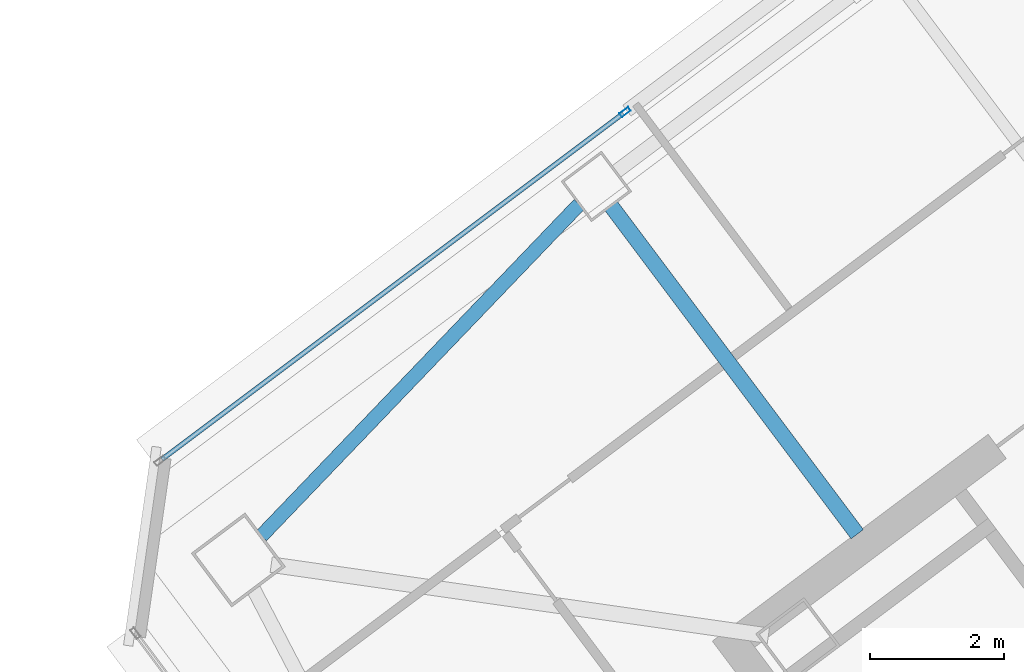
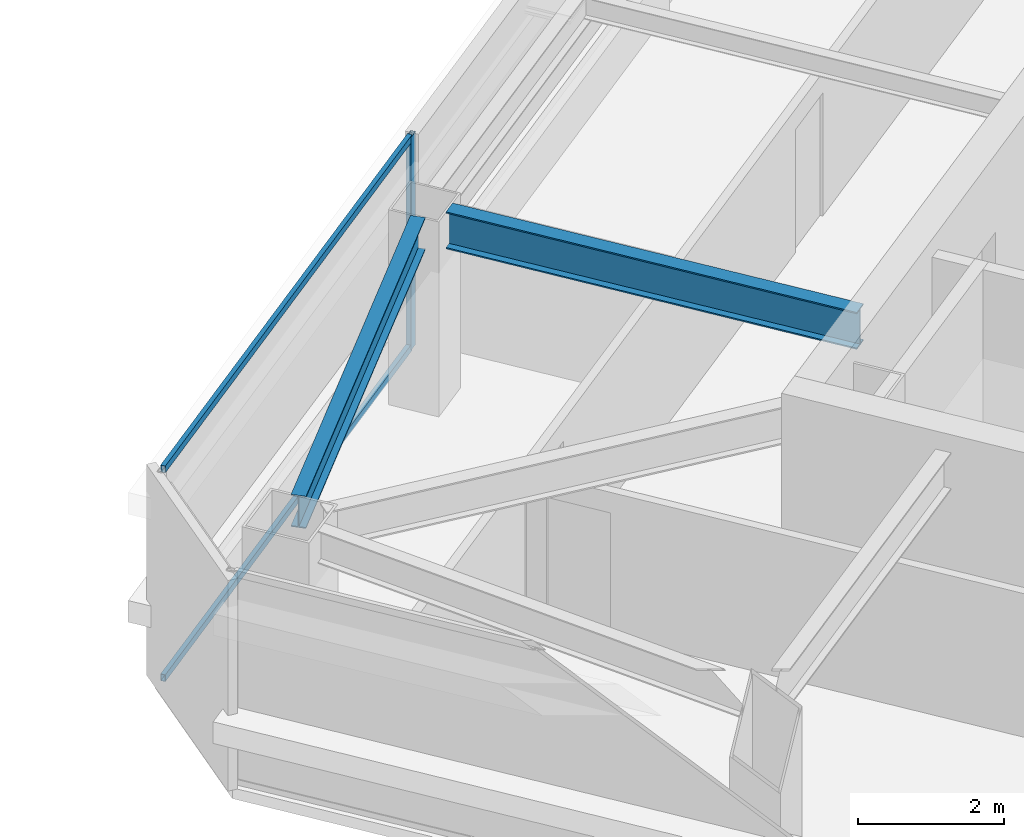
# One storey, part 21 of 39: 3 members, 2 beams, 1 element without a shape of its own.
"""IFC4 building model written with IfcOpenShell, lengths in metres."""

from ifc_helpers import new_model, si_unit, direction, frame, origin, origin_2d, place, context, subcontext, project, spatial, hollow_rectangle, i_section, extrude, material, material_profile, profile_set, type_object, element, aggregate, save


model = new_model("IFC4")

# Units and contexts
model_context = context("Model", 3, precision=1e-05, world=origin(), true_north=direction((0.0, 1.0)))
body_context = subcontext(model_context, "Body", "Model", "MODEL_VIEW")
ifc_project = project(units=[si_unit("LENGTHUNIT", "METRE"), si_unit("AREAUNIT", "SQUARE_METRE"), si_unit("VOLUMEUNIT", "CUBIC_METRE"), si_unit("PLANEANGLEUNIT", "RADIAN"), si_unit("MASSUNIT", "GRAM", prefix="KILO")], contexts=[model_context])

# Site, building, storey
site_placement = place(None, origin())
site = spatial("IfcSite", under=ifc_project, at=site_placement, CompositionType="ELEMENT")
building_placement = place(site_placement, origin())
building = spatial("IfcBuilding", under=site, at=building_placement, Name="Tashvorn Skyway Center", CompositionType="ELEMENT")
storey_placement = place(building_placement, frame((0.0, 0.0, 243.25)))
storey = spatial("IfcBuildingStorey", under=building, at=storey_placement, Name="L66", CompositionType="ELEMENT", Elevation=243.25)

# Beams
ifc_material_1 = material(Name="Steel ASTM A992 Grade 50", Category="steel")
ifc_material_profile_1 = material_profile(ifc_material_1, i_section(OverallWidth=0.22998046875, OverallDepth=0.616943359375, WebThickness=0.01318359375, FlangeThickness=0.022216796875, at=origin_2d()), Name="W24X94")
ifc_profile_set_1 = profile_set([ifc_material_profile_1], Name="Steel ASTM A992 Grade 50")
beam_type_1 = type_object("IfcBeamType", Name="BM-BEAM-W24X94", PredefinedType="BEAM", material=ifc_profile_set_1)
beam_1_placement = place(storey_placement, frame((101.35205078125, 39.864013671875, 2.94140625), z_axis=(0.599980788915, -0.800014407953, 0.0), x_axis=(0.800014407953, 0.599980788915, 0.0)))
element("IfcBeam", 1, at=beam_1_placement, inside=storey, type_object=beam_type_1, Name="Tower 2 L66 Primary Floor Girder FC-N2", PredefinedType="BEAM", context=body_context, shape_type="SweptSolid", body=[
    extrude(i_section(OverallWidth=0.22998046875, OverallDepth=0.616943359375, WebThickness=0.01318359375, FlangeThickness=0.022216796875, at=origin_2d()), origin(), (0.0, 0.0, 1.0), 6.10009765625),
])
ifc_material_profile_2 = material_profile(ifc_material_1, i_section(OverallWidth=0.2109375, OverallDepth=0.5390625, WebThickness=0.01171875, FlangeThickness=0.018798828125, at=origin_2d()), Name="W21X73")
ifc_profile_set_2 = profile_set([ifc_material_profile_2], Name="Steel ASTM A992 Grade 50")
beam_type_2 = type_object("IfcBeamType", Name="BM-SPANDREL-W21X73", PredefinedType="SPANDREL", material=ifc_profile_set_2)
beam_2_placement = place(storey_placement, frame((100.8740234375, 39.892822265625, 2.98046875), z_axis=(-0.69202323926, -0.72187522213, 0.0), x_axis=(0.72187522213, -0.69202323926, 0.0)))
element("IfcBeam", 2, at=beam_2_placement, inside=storey, type_object=beam_type_2, Name="Tower 2 L66 Spandrel Beam 09", PredefinedType="SPANDREL", context=body_context, shape_type="SweptSolid", body=[
    extrude(i_section(OverallWidth=0.2109375, OverallDepth=0.5390625, WebThickness=0.01171875, FlangeThickness=0.018798828125, at=origin_2d()), origin(), (0.0, 0.0, 1.0), 6.837158203125),
])

# Curtain wall, members
ifc_material_2 = material(Name="Thermally broken bronze-anodized aluminium 6063-T6", Category="aluminium")
curtain_wall_type = type_object("IfcCurtainWallType", Name="CW-CW-Z5", PredefinedType="NOTDEFINED", material=ifc_material_2)
curtain_wall_placement = place(storey_placement, origin())
curtain_wall = element("IfcCurtainWall", 3, at=curtain_wall_placement, inside=storey, type_object=curtain_wall_type, Name="Tower 2 L66 North Unitised Curtain Wall Glazing Group 1", PredefinedType="NOTDEFINED")
ifc_material_profile_3 = material_profile(ifc_material_2, hollow_rectangle(XDim=0.070068359375, YDim=0.1650390625, WallThickness=0.00390625, at=origin_2d()), Name="ALU-MULL-70x165")
ifc_profile_set_3 = profile_set([ifc_material_profile_3], Name="Thermally broken bronze-anodized aluminium 6063-T6")
member_type_1 = type_object("IfcMemberType", Name="CWM-CW-Z5", PredefinedType="MULLION", material=ifc_profile_set_3)
member_1_placement = place(storey_placement, frame((101.555908203125, 41.26708984375, 0.0), z_axis=(0.0, 0.0, 1.0), x_axis=(-0.600000000002, 0.799999999998, 0.0)))
member_1 = element("IfcMember", 4, at=member_1_placement, type_object=member_type_1, Name="CW-Z5 mullion 2", PredefinedType="MULLION", context=body_context, shape_type="SweptSolid", body=[
    extrude(hollow_rectangle(XDim=0.070068359375, YDim=0.1650390625, WallThickness=0.00390625, at=origin_2d()), origin(), (0.0, 0.0, 1.0), 3.550048828125),
])
ifc_material_profile_4 = material_profile(ifc_material_2, hollow_rectangle(XDim=0.070068359375, YDim=0.114990234375, WallThickness=0.00390625, at=origin_2d()), Name="ALU-TRAN-70x115")
ifc_profile_set_4 = profile_set([ifc_material_profile_4], Name="Thermally broken bronze-anodized aluminium 6063-T6")
member_type_2 = type_object("IfcMemberType", Name="CWT-CW-Z5", PredefinedType="USERDEFINED", material=ifc_profile_set_4)
member_2_placement = place(storey_placement, frame((94.6640625, 36.097900390625, 0.034912109375), z_axis=(0.799989756372, 0.600013657927, 0.0), x_axis=(-0.600013657927, 0.799989756372, 0.0)))
member_2 = element("IfcMember", 5, at=member_2_placement, type_object=member_type_2, Name="CW-Z5 transom 1.1", ObjectType="TRANSOM", PredefinedType="USERDEFINED", context=body_context, shape_type="SweptSolid", body=[
    extrude(hollow_rectangle(XDim=0.070068359375, YDim=0.114990234375, WallThickness=0.00390625, at=origin_2d()), origin(), (0.0, 0.0, 1.0), 8.580078125),
])
member_3_placement = place(storey_placement, frame((94.6640625, 36.097900390625, 3.514892578125), z_axis=(0.799989756372, 0.600013657927, 0.0), x_axis=(-0.600013657927, 0.799989756372, 0.0)))
member_3 = element("IfcMember", 6, at=member_3_placement, type_object=member_type_2, Name="CW-Z5 transom 1.2", ObjectType="TRANSOM", PredefinedType="USERDEFINED", context=body_context, shape_type="SweptSolid", body=[
    extrude(hollow_rectangle(XDim=0.070068359375, YDim=0.114990234375, WallThickness=0.00390625, at=origin_2d()), origin(), (0.0, 0.0, 1.0), 8.580078125),
])
aggregate(curtain_wall, [member_1, member_2, member_3])

save(model, "model.ifc")
